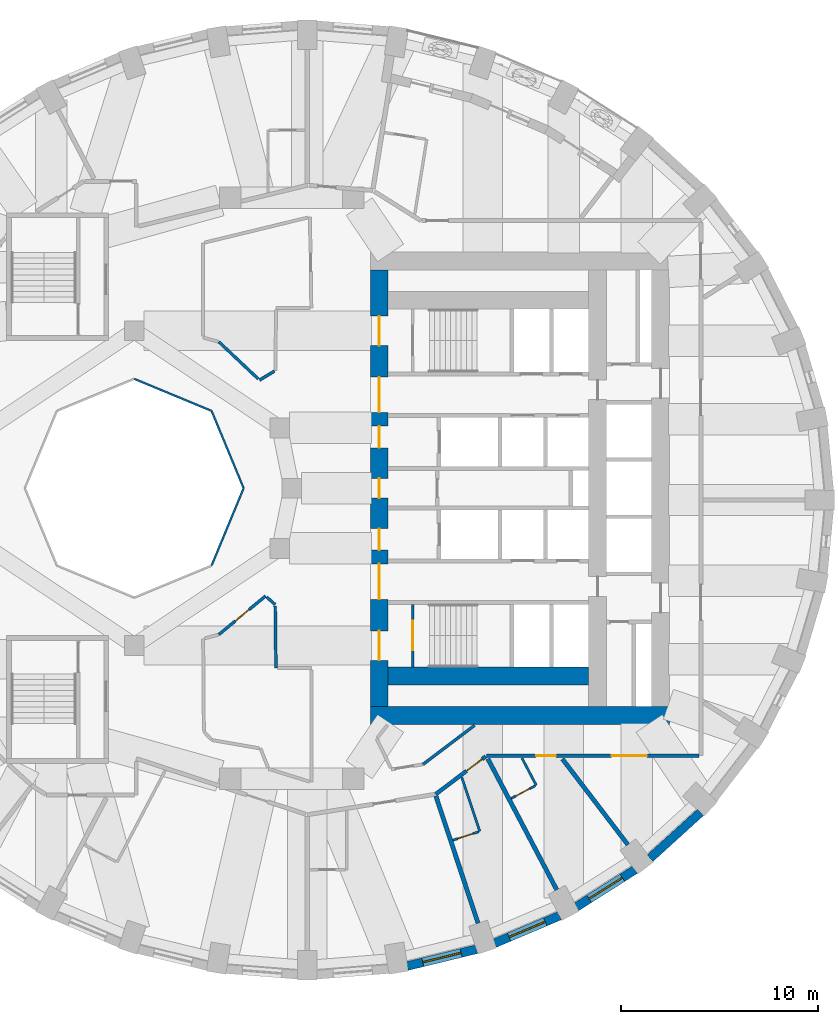
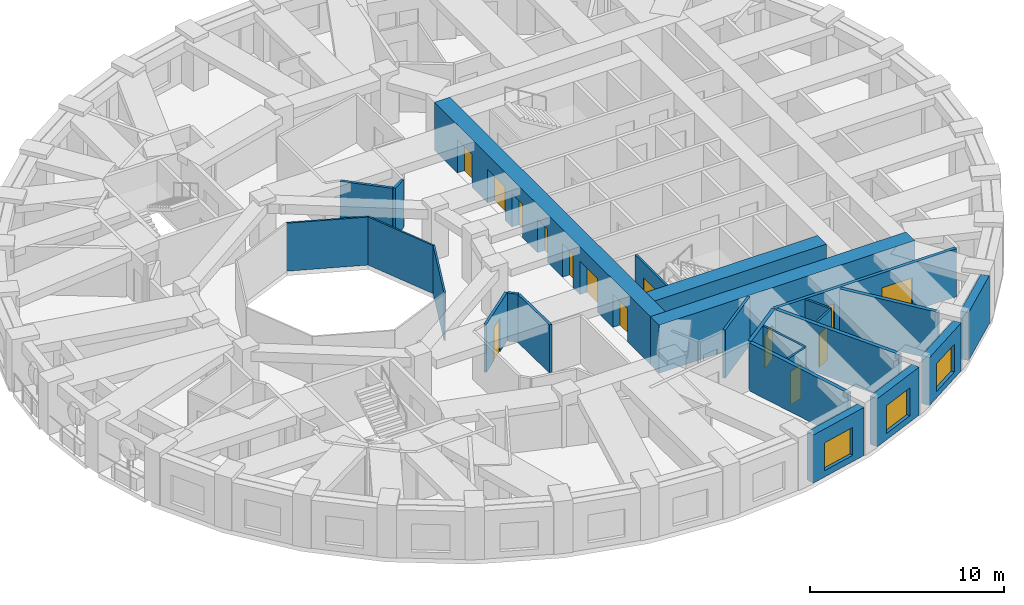
# One storey, part 5 of 12: 26 walls, 14 doors, 3 windows, 17 openings.
"""IFC4 building model written with IfcOpenShell, lengths in metres."""

from ifc_helpers import new_model, si_unit, direction, frame, frame_2d, origin, place, context, subcontext, project, spatial, rectangle, extrude, material, layer, layer_set, type_object, element, fill, save


model = new_model("IFC4")

# Units and contexts
model_context = context("Model", 3, precision=1e-05, world=origin(), true_north=direction((0.0, 1.0)))
body_context = subcontext(model_context, "Body", "Model", "MODEL_VIEW")
ifc_project = project(units=[si_unit("LENGTHUNIT", "METRE"), si_unit("AREAUNIT", "SQUARE_METRE"), si_unit("VOLUMEUNIT", "CUBIC_METRE"), si_unit("PLANEANGLEUNIT", "RADIAN"), si_unit("MASSUNIT", "GRAM", prefix="KILO")], contexts=[model_context])

# Site, building, storey
site_placement = place(None, origin())
site = spatial("IfcSite", under=ifc_project, at=site_placement, CompositionType="ELEMENT")
building_placement = place(site_placement, origin())
building = spatial("IfcBuilding", under=site, at=building_placement, Name="Taillehof Tower", CompositionType="ELEMENT")
storey_placement = place(building_placement, frame((0.0, 0.0, 105.39990234375)))
storey = spatial("IfcBuildingStorey", under=building, at=storey_placement, Name="L29", CompositionType="ELEMENT", Elevation=105.39990234375)

# Walls
ifc_material_1 = material(Name="Fire-resisting glass in steel frame", Category="steel")
ifc_layer_1 = layer(ifc_material_1, 0.10009765625)
ifc_layer_set_1 = layer_set([ifc_layer_1], Name="Atrium fire-resisting screen EI 60 100")
wall_type_1 = type_object("IfcWallType", Name="Atrium fire-resisting screen EI 60 100", PredefinedType="PARTITIONING", material=ifc_layer_set_1)
for number, where, z_axis, x_axis, name in (
    (1, (-2.44580078125, 0.0, 0.0), (0.0, 0.0, 1.0), (-0.382730523909, -0.923860025149, 0.0), "Atrium screen"),
    (2, (-8.0, 5.55419921875, 0.0), (0.0, 0.0, 1.0), (0.923860025149, -0.382730523909, 0.0), "Atrium screen"),
    (3, (-4.07275390625, 3.92724609375, 0.0), (0.0, 0.0, 1.0), (0.382730523909, -0.923860025149, 0.0), "Atrium screen"),
):
    element("IfcWall", number, at=place(storey_placement, frame(where, z_axis=z_axis, x_axis=x_axis)), inside=storey, type_object=wall_type_1, Name=name, PredefinedType="PARTITIONING", context=body_context, shape_type="SweptSolid", body=[
        extrude(rectangle(XDim=4.2509765625, YDim=0.10009765625, at=frame_2d((2.12548828125, 0.0))), origin(), (0.0, 0.0, 1.0), 3.02001953125),
    ])

# Wall, opening, window
ifc_material_2 = material(Name="Brick masonry", Category="masonry")
ifc_layer_2 = layer(ifc_material_2, 0.449951171875)
ifc_layer_set_2 = layer_set([ifc_layer_2], Name="Brick infill wall 450")
wall_type_2 = type_object("IfcWallType", Name="Brick infill wall 450", PredefinedType="SOLIDWALL", material=ifc_layer_set_2)
wall_1_placement = place(storey_placement, frame((5.87451171875, -24.29443359375, 0.0), z_axis=(0.0, 0.0, 1.0), x_axis=(0.971667603162, 0.236351579148, 0.0)))
wall_1 = element("IfcWall", 4, at=wall_1_placement, inside=storey, type_object=wall_type_2, Name="Brick wall L29 bay 29", PredefinedType="SOLIDWALL", context=body_context, shape_type="SweptSolid", body=[
    extrude(rectangle(XDim=3.635009765625, YDim=0.449951171875, at=frame_2d((1.8173828125, 0.0))), origin(), (0.0, 0.0, 1.0), 3.02001953125),
])
opening_1_placement = place(wall_1_placement, frame((0.8173828125, 0.0, 0.39990234375)))
opening_1 = element("IfcOpeningElement", 5, at=opening_1_placement, cuts=wall_1, Name="Opening W2", PredefinedType="OPENING", context=body_context, shape_type="SweptSolid", body=[
    extrude(rectangle(XDim=2.0, YDim=1.75, at=frame_2d((1.0, 0.875))), frame((0.0, 0.23486328125, 0.0), z_axis=(0.0, -1.0, 0.0), x_axis=(1.0, 0.0, 0.0)), (0.0, 0.0, 1.0), 0.469970703125),
])
ifc_material_3 = material(Name="Aluminium window frame with clear double glazing", Category="aluminium")
window_type = type_object("IfcWindowType", Name="Deep-set window 2000x1750", PartitioningType="SINGLE_PANEL", PredefinedType="WINDOW", material=ifc_material_3)
window_1_placement = place(opening_1_placement, origin())
window_1 = element("IfcWindow", 6, at=window_1_placement, inside=storey, type_object=window_type, Name="W2", OverallHeight=1.75, OverallWidth=2.0, PartitioningType="SINGLE_PANEL", PredefinedType="WINDOW", context=body_context, shape_type="SweptSolid", body=[
    extrude(rectangle(XDim=2.0, YDim=1.75, at=frame_2d((1.0, 0.875))), frame((0.0, 0.034912109375, 0.0), z_axis=(0.0, -1.0, 0.0), x_axis=(1.0, 0.0, 0.0)), (0.0, 0.0, 1.0), 0.06005859375),
])
fill(opening_1, window_1)

wall_2_placement = place(storey_placement, frame((10.318115234375, -23.133544921875, 0.0), z_axis=(0.0, 0.0, 1.0), x_axis=(0.920869643542, 0.389870619055, 0.0)))
wall_2 = element("IfcWall", 7, at=wall_2_placement, inside=storey, type_object=wall_type_2, Name="Brick wall L29 bay 30", PredefinedType="SOLIDWALL", context=body_context, shape_type="SweptSolid", body=[
    extrude(rectangle(XDim=3.59130859375, YDim=0.449951171875, at=frame_2d((1.795654296875, 0.0))), origin(), (0.0, 0.0, 1.0), 3.02001953125),
])
opening_2_placement = place(wall_2_placement, frame((0.795654296875, 0.0, 0.39990234375)))
opening_2 = element("IfcOpeningElement", 8, at=opening_2_placement, cuts=wall_2, Name="Opening W2", PredefinedType="OPENING", context=body_context, shape_type="SweptSolid", body=[
    extrude(rectangle(XDim=2.0, YDim=1.75, at=frame_2d((1.0, 0.875))), frame((0.0, 0.23486328125, 0.0), z_axis=(0.0, -1.0, 0.0), x_axis=(1.0, 0.0, 0.0)), (0.0, 0.0, 1.0), 0.469970703125),
])
window_2_placement = place(opening_2_placement, origin())
window_2 = element("IfcWindow", 9, at=window_2_placement, inside=storey, type_object=window_type, Name="W2", OverallHeight=1.75, OverallWidth=2.0, PartitioningType="SINGLE_PANEL", PredefinedType="WINDOW", context=body_context, shape_type="SweptSolid", body=[
    extrude(rectangle(XDim=2.0, YDim=1.75, at=frame_2d((1.0, 0.875))), frame((0.0, 0.034912109375, 0.0), z_axis=(0.0, -1.0, 0.0), x_axis=(1.0, 0.0, 0.0)), (0.0, 0.0, 1.0), 0.06005859375),
])
fill(opening_2, window_2)

wall_3_placement = place(storey_placement, frame((14.475341796875, -21.287109375, 0.0), z_axis=(0.0, 0.0, 1.0), x_axis=(0.843911841423, 0.536481876587, 0.0)))
wall_3 = element("IfcWall", 10, at=wall_3_placement, inside=storey, type_object=wall_type_2, Name="Brick wall L29 bay 31", PredefinedType="SOLIDWALL", context=body_context, shape_type="SweptSolid", body=[
    extrude(rectangle(XDim=3.5322265625, YDim=0.449951171875, at=frame_2d((1.76611328125, 0.0))), origin(), (0.0, 0.0, 1.0), 3.02001953125),
])
opening_3_placement = place(wall_3_placement, frame((0.76611328125, 0.0, 0.39990234375)))
opening_3 = element("IfcOpeningElement", 11, at=opening_3_placement, cuts=wall_3, Name="Opening W2", PredefinedType="OPENING", context=body_context, shape_type="SweptSolid", body=[
    extrude(rectangle(XDim=2.0, YDim=1.75, at=frame_2d((1.0, 0.875))), frame((0.0, 0.23486328125, 0.0), z_axis=(0.0, -1.0, 0.0), x_axis=(1.0, 0.0, 0.0)), (0.0, 0.0, 1.0), 0.469970703125),
])
window_3_placement = place(opening_3_placement, origin())
window_3 = element("IfcWindow", 12, at=window_3_placement, inside=storey, type_object=window_type, Name="W2", OverallHeight=1.75, OverallWidth=2.0, PartitioningType="SINGLE_PANEL", PredefinedType="WINDOW", context=body_context, shape_type="SweptSolid", body=[
    extrude(rectangle(XDim=2.0, YDim=1.75, at=frame_2d((1.0, 0.875))), frame((0.0, 0.034912109375, 0.0), z_axis=(0.0, -1.0, 0.0), x_axis=(1.0, 0.0, 0.0)), (0.0, 0.0, 1.0), 0.06005859375),
])
fill(opening_3, window_3)

# Wall
wall_4_placement = place(storey_placement, frame((18.219482421875, -18.8095703125, 0.0), z_axis=(0.0, 0.0, 1.0), x_axis=(0.740364106106, 0.672206062446, 0.0)))
element("IfcWall", 13, at=wall_4_placement, inside=storey, type_object=wall_type_2, Name="Brick wall L29 bay 32", PredefinedType="SOLIDWALL", context=body_context, shape_type="SweptSolid", body=[
    extrude(rectangle(XDim=3.4638671875, YDim=0.449951171875, at=frame_2d((1.73193359375, 0.0))), origin(), (0.0, 0.0, 1.0), 3.02001953125),
])

# Wall, openings, doors
ifc_material_4 = material(Name="Gypsum board on steel studs, two layers each side", Category="steel")
ifc_layer_3 = layer(ifc_material_4, 0.199951171875)
ifc_layer_set_3 = layer_set([ifc_layer_3], Name="Compartment wall corridor 200")
wall_type_3 = type_object("IfcWallType", Name="Compartment wall corridor 200", PredefinedType="PARTITIONING", material=ifc_layer_set_3)
wall_5_placement = place(storey_placement, frame((20.699951171875, -13.60009765625, 0.0), z_axis=(0.0, 0.0, 1.0), x_axis=(-1.0, 0.0, 0.0)))
wall_5 = element("IfcWall", 14, at=wall_5_placement, inside=storey, type_object=wall_type_3, Name="Compartment wall", PredefinedType="PARTITIONING", context=body_context, shape_type="SweptSolid", body=[
    extrude(rectangle(XDim=10.791015625, YDim=0.199951171875, at=frame_2d((5.3955078125, 0.0))), origin(), (0.0, 0.0, 1.0), 3.02001953125),
])
opening_4_placement = place(wall_5_placement, frame((7.27197265625, 0.0, 0.0)))
opening_4 = element("IfcOpeningElement", 15, at=opening_4_placement, cuts=wall_5, Name="Opening D2959", PredefinedType="OPENING", context=body_context, shape_type="SweptSolid", body=[
    extrude(rectangle(XDim=1.0, YDim=2.10009765625, at=frame_2d((0.5, 1.050048828125))), frame((0.0, 0.10986328125, 0.0), z_axis=(0.0, -1.0, 0.0), x_axis=(1.0, 0.0, 0.0)), (0.0, 0.0, 1.0), 0.219970703125),
])
opening_5_placement = place(wall_5_placement, frame((2.638427734375, 0.0, 0.0)))
opening_5 = element("IfcOpeningElement", 16, at=opening_5_placement, cuts=wall_5, Name="Opening D2961", PredefinedType="OPENING", context=body_context, shape_type="SweptSolid", body=[
    extrude(rectangle(XDim=1.800048828125, YDim=2.10009765625, at=frame_2d((0.89990234375, 1.050048828125))), frame((0.0, 0.10986328125, 0.0), z_axis=(0.0, -1.0, 0.0), x_axis=(1.0, 0.0, 0.0)), (0.0, 0.0, 1.0), 0.219970703125),
])
ifc_material_5 = material(Name="Timber door leaf in steel frame", Category="steel")
door_type_1 = type_object("IfcDoorType", Name="Guest room door EI 30 1000 x 2100", OperationType="SINGLE_SWING_LEFT", PredefinedType="DOOR", material=ifc_material_5)
door_1_placement = place(opening_4_placement, origin())
door_1 = element("IfcDoor", 17, at=door_1_placement, inside=storey, type_object=door_type_1, Name="D2959", OperationType="SINGLE_SWING_LEFT", OverallHeight=2.10009765625, OverallWidth=1.0, PredefinedType="DOOR", context=body_context, shape_type="SweptSolid", body=[
    extrude(rectangle(XDim=1.0, YDim=2.10009765625, at=frame_2d((0.5, 1.050048828125))), frame((0.0, 0.02490234375, 0.0), z_axis=(0.0, -1.0, 0.0), x_axis=(1.0, 0.0, 0.0)), (0.0, 0.0, 1.0), 0.050048828125),
])
fill(opening_4, door_1)
ifc_material_6 = material(Name="Timber door leaf in steel frame", Category="steel")
door_type_2 = type_object("IfcDoorType", Name="Lounge and meeting room double door EI 30 1800 x 2100", OperationType="SINGLE_SWING_LEFT", PredefinedType="DOOR", material=ifc_material_6)
door_2_placement = place(opening_5_placement, origin())
door_2 = element("IfcDoor", 18, at=door_2_placement, inside=storey, type_object=door_type_2, Name="D2961", OperationType="DOUBLE_DOOR_SINGLE_SWING", OverallHeight=2.10009765625, OverallWidth=1.800048828125, PredefinedType="DOOR", context=body_context, shape_type="SweptSolid", body=[
    extrude(rectangle(XDim=1.800048828125, YDim=2.10009765625, at=frame_2d((0.89990234375, 1.050048828125))), frame((0.0, 0.02490234375, 0.0), z_axis=(0.0, -1.0, 0.0), x_axis=(1.0, 0.0, 0.0)), (0.0, 0.0, 1.0), 0.050048828125),
])
fill(opening_5, door_2)

# Wall, opening, door
wall_6_placement = place(storey_placement, frame((9.861328125, -13.635986328125, 0.0), z_axis=(0.0, 0.0, 1.0), x_axis=(-0.797589990076, -0.603199973251, 0.0)))
wall_6 = element("IfcWall", 19, at=wall_6_placement, inside=storey, type_object=wall_type_3, Name="Compartment wall", PredefinedType="PARTITIONING", context=body_context, shape_type="SweptSolid", body=[
    extrude(rectangle(XDim=3.181396484375, YDim=0.199951171875, at=frame_2d((1.5908203125, 0.0))), origin(), (0.0, 0.0, 1.0), 3.02001953125),
])
opening_6_placement = place(wall_6_placement, frame((0.219970703125, 0.0, 0.0)))
opening_6 = element("IfcOpeningElement", 20, at=opening_6_placement, cuts=wall_6, Name="Opening D2957", PredefinedType="OPENING", context=body_context, shape_type="SweptSolid", body=[
    extrude(rectangle(XDim=1.0, YDim=2.10009765625, at=frame_2d((0.5, 1.050048828125))), frame((0.0, 0.10986328125, 0.0), z_axis=(0.0, -1.0, 0.0), x_axis=(1.0, 0.0, 0.0)), (0.0, 0.0, 1.0), 0.219970703125),
])
door_3_placement = place(opening_6_placement, origin())
door_3 = element("IfcDoor", 21, at=door_3_placement, inside=storey, type_object=door_type_1, Name="D2957", OperationType="SINGLE_SWING_LEFT", OverallHeight=2.10009765625, OverallWidth=1.0, PredefinedType="DOOR", context=body_context, shape_type="SweptSolid", body=[
    extrude(rectangle(XDim=1.0, YDim=2.10009765625, at=frame_2d((0.5, 1.050048828125))), frame((0.0, 0.02490234375, 0.0), z_axis=(0.0, -1.0, 0.0), x_axis=(1.0, 0.0, 0.0)), (0.0, 0.0, 1.0), 0.050048828125),
])
fill(opening_6, door_3)

# Walls
ifc_material_7 = material(Name="Gypsum board on double steel studs with mineral wool", Category="steel")
ifc_layer_4 = layer(ifc_material_7, 0.219970703125)
ifc_layer_set_4 = layer_set([ifc_layer_4], Name="Compartment wall guest room 220")
wall_type_4 = type_object("IfcWallType", Name="Compartment wall guest room 220", PredefinedType="PARTITIONING", material=ifc_layer_set_4)
wall_7_placement = place(storey_placement, frame((9.4736328125, -22.11181640625, 0.0), z_axis=(0.0, 0.0, 1.0), x_axis=(-0.314536861663, 0.949245259485, 0.0)))
element("IfcWall", 22, at=wall_7_placement, inside=storey, type_object=wall_type_4, Name="Compartment wall", PredefinedType="PARTITIONING", context=body_context, shape_type="SweptSolid", body=[
    extrude(rectangle(XDim=6.802490234375, YDim=0.219970703125, at=frame_2d((3.4013671875, 0.0))), origin(), (0.0, 0.0, 1.0), 3.02001953125),
])
wall_8_placement = place(storey_placement, frame((13.47607421875, -20.417724609375, 0.0), z_axis=(0.0, 0.0, 1.0), x_axis=(-0.465332071749, 0.885136183308, 0.0)))
element("IfcWall", 23, at=wall_8_placement, inside=storey, type_object=wall_type_4, Name="Compartment wall", PredefinedType="PARTITIONING", context=body_context, shape_type="SweptSolid", body=[
    extrude(rectangle(XDim=7.52880859375, YDim=0.219970703125, at=frame_2d((3.764404296875, 0.0))), origin(), (0.0, 0.0, 1.0), 3.02001953125),
])
wall_9_placement = place(storey_placement, frame((17.08935546875, -18.120849609375, 0.0), z_axis=(0.0, 0.0, 1.0), x_axis=(-0.607064955951, 0.794652212767, 0.0)))
element("IfcWall", 24, at=wall_9_placement, inside=storey, type_object=wall_type_4, Name="Compartment wall", PredefinedType="PARTITIONING", context=body_context, shape_type="SweptSolid", body=[
    extrude(rectangle(XDim=5.483154296875, YDim=0.219970703125, at=frame_2d((2.74169921875, 0.0))), origin(), (0.0, 0.0, 1.0), 3.02001953125),
])
ifc_material_8 = material(Name="Gypsum board on steel studs, two layers each side", Category="steel")
ifc_layer_5 = layer(ifc_material_8, 0.14990234375)
ifc_layer_set_5 = layer_set([ifc_layer_5], Name="Compartment wall service room 150")
wall_type_5 = type_object("IfcWallType", Name="Compartment wall service room 150", PredefinedType="PARTITIONING", material=ifc_layer_set_5)
wall_10_placement = place(storey_placement, frame((-0.87353515625, 5.95166015625, 0.0), z_axis=(0.0, 0.0, 1.0), x_axis=(-0.857759476535, -0.514051242984, 0.0)))
element("IfcWall", 25, at=wall_10_placement, inside=storey, type_object=wall_type_5, Name="Compartment wall", PredefinedType="PARTITIONING", context=body_context, shape_type="SweptSolid", body=[
    extrude(rectangle(XDim=0.888671875, YDim=0.14990234375, at=frame_2d((0.4443359375, 0.0))), origin(), (0.0, 0.0, 1.0), 3.02001953125),
])
wall_11_placement = place(storey_placement, frame((-1.6943359375, 5.549560546875, 0.0), z_axis=(0.0, 0.0, 1.0), x_axis=(-0.728018179622, 0.685557824067, 0.0)))
element("IfcWall", 26, at=wall_11_placement, inside=storey, type_object=wall_type_5, Name="Compartment wall", PredefinedType="PARTITIONING", context=body_context, shape_type="SweptSolid", body=[
    extrude(rectangle(XDim=2.760009765625, YDim=0.14990234375, at=frame_2d((1.3798828125, 0.0))), origin(), (0.0, 0.0, 1.0), 3.02001953125),
])

# Wall, opening, door
wall_12_placement = place(storey_placement, frame((-3.70361328125, -7.441650390625, 0.0), z_axis=(0.0, 0.0, 1.0), x_axis=(0.771379108851, 0.636375887686, 0.0)))
wall_12 = element("IfcWall", 27, at=wall_12_placement, inside=storey, type_object=wall_type_5, Name="Compartment wall", PredefinedType="PARTITIONING", context=body_context, shape_type="SweptSolid", body=[
    extrude(rectangle(XDim=3.083251953125, YDim=0.14990234375, at=frame_2d((1.54150390625, 0.0))), origin(), (0.0, 0.0, 1.0), 3.02001953125),
])
opening_7_placement = place(wall_12_placement, frame((1.091552734375, 0.0, 0.0)))
opening_7 = element("IfcOpeningElement", 28, at=opening_7_placement, cuts=wall_12, Name="Opening D2966", PredefinedType="OPENING", context=body_context, shape_type="SweptSolid", body=[
    extrude(rectangle(XDim=0.89990234375, YDim=2.10009765625, at=frame_2d((0.449951171875, 1.050048828125))), frame((0.0, 0.0849609375, 0.0), z_axis=(0.0, -1.0, 0.0), x_axis=(1.0, 0.0, 0.0)), (0.0, 0.0, 1.0), 0.169921875),
])
ifc_material_9 = material(Name="Timber door leaf in steel frame", Category="steel")
door_type_3 = type_object("IfcDoorType", Name="Service room door EI 30 900 x 2100", OperationType="SINGLE_SWING_LEFT", PredefinedType="DOOR", material=ifc_material_9)
door_4_placement = place(opening_7_placement, origin())
door_4 = element("IfcDoor", 29, at=door_4_placement, inside=storey, type_object=door_type_3, Name="D2966", OperationType="SINGLE_SWING_LEFT", OverallHeight=2.10009765625, OverallWidth=0.89990234375, PredefinedType="DOOR", context=body_context, shape_type="SweptSolid", body=[
    extrude(rectangle(XDim=0.89990234375, YDim=2.10009765625, at=frame_2d((0.449951171875, 1.050048828125))), frame((0.0, 0.02490234375, 0.0), z_axis=(0.0, -1.0, 0.0), x_axis=(1.0, 0.0, 0.0)), (0.0, 0.0, 1.0), 0.050048828125),
])
fill(opening_7, door_4)

# Walls
wall_13_placement = place(storey_placement, frame((-1.265625, -5.533203125, 0.0), z_axis=(0.0, 0.0, 1.0), x_axis=(0.740704364941, -0.671831112525, 0.0)))
element("IfcWall", 30, at=wall_13_placement, inside=storey, type_object=wall_type_5, Name="Compartment wall", PredefinedType="PARTITIONING", context=body_context, shape_type="SweptSolid", body=[
    extrude(rectangle(XDim=0.577880859375, YDim=0.14990234375, at=frame_2d((0.2890625, 0.0))), origin(), (0.0, 0.0, 1.0), 3.02001953125),
])
wall_14_placement = place(storey_placement, frame((-0.8369140625, -5.9814453125, 0.0), z_axis=(0.0, 0.0, 1.0), x_axis=(0.011634287273, -0.999932319389, 0.0)))
element("IfcWall", 31, at=wall_14_placement, inside=storey, type_object=wall_type_5, Name="Compartment wall", PredefinedType="PARTITIONING", context=body_context, shape_type="SweptSolid", body=[
    extrude(rectangle(XDim=3.168701171875, YDim=0.14990234375, at=frame_2d((1.58447265625, 0.0))), origin(), (0.0, 0.0, 1.0), 3.02001953125),
])
wall_15_placement = place(storey_placement, frame((9.299560546875, -12.054931640625, 0.0), z_axis=(0.0, 0.0, 1.0), x_axis=(-0.79762360872, -0.603155517933, 0.0)))
element("IfcWall", 32, at=wall_15_placement, inside=storey, type_object=wall_type_5, Name="Compartment wall", PredefinedType="PARTITIONING", context=body_context, shape_type="SweptSolid", body=[
    extrude(rectangle(XDim=3.2880859375, YDim=0.14990234375, at=frame_2d((1.64404296875, 0.0))), origin(), (0.0, 0.0, 1.0), 3.02001953125),
])

# Wall, openings, doors
ifc_material_10 = material(Name="Concrete C80/95", Category="concrete")
ifc_layer_6 = layer(ifc_material_10, 0.89990234375)
ifc_layer_set_6 = layer_set([ifc_layer_6], Name="Core wall C80/95 900")
wall_type_6 = type_object("IfcWallType", Name="Core wall C80/95 900", PredefinedType="SHEAR", material=ifc_layer_set_6)
wall_16_placement = place(storey_placement, frame((4.449951171875, -11.10009765625, 0.0), z_axis=(0.0, 0.0, 1.0), x_axis=(0.0, 1.0, 0.0)))
wall_16 = element("IfcWall", 33, at=wall_16_placement, inside=storey, type_object=wall_type_6, Name="Core wall CW01", PredefinedType="SHEAR", context=body_context, shape_type="SweptSolid", body=[
    extrude(rectangle(XDim=22.2001953125, YDim=0.89990234375, at=frame_2d((11.10009765625, 0.0))), origin(), (0.0, 0.0, 1.0), 3.02001953125),
])
opening_8_placement = place(wall_16_placement, frame((2.35009765625, 0.0, 0.0)))
opening_8 = element("IfcOpeningElement", 34, at=opening_8_placement, cuts=wall_16, Name="Opening D2901", PredefinedType="OPENING", context=body_context, shape_type="SweptSolid", body=[
    extrude(rectangle(XDim=1.5, YDim=2.10009765625, at=frame_2d((0.75, 1.050048828125))), frame((0.0, 0.4599609375, 0.0), z_axis=(0.0, -1.0, 0.0), x_axis=(1.0, 0.0, 0.0)), (0.0, 0.0, 1.0), 0.919921875),
])
opening_9_placement = place(wall_16_placement, frame((5.449951171875, 0.0, 0.0)))
opening_9 = element("IfcOpeningElement", 35, at=opening_9_placement, cuts=wall_16, Name="Opening D2902", PredefinedType="OPENING", context=body_context, shape_type="SweptSolid", body=[
    extrude(rectangle(XDim=1.800048828125, YDim=2.10009765625, at=frame_2d((0.89990234375, 1.050048828125))), frame((0.0, 0.4599609375, 0.0), z_axis=(0.0, -1.0, 0.0), x_axis=(1.0, 0.0, 0.0)), (0.0, 0.0, 1.0), 0.919921875),
])
opening_10_placement = place(wall_16_placement, frame((7.949951171875, 0.0, 0.0)))
opening_10 = element("IfcOpeningElement", 36, at=opening_10_placement, cuts=wall_16, Name="Opening D2903", PredefinedType="OPENING", context=body_context, shape_type="SweptSolid", body=[
    extrude(rectangle(XDim=1.10009765625, YDim=2.10009765625, at=frame_2d((0.550048828125, 1.050048828125))), frame((0.0, 0.4599609375, 0.0), z_axis=(0.0, -1.0, 0.0), x_axis=(1.0, 0.0, 0.0)), (0.0, 0.0, 1.0), 0.919921875),
])
opening_11_placement = place(wall_16_placement, frame((10.60009765625, 0.0, 0.0)))
opening_11 = element("IfcOpeningElement", 37, at=opening_11_placement, cuts=wall_16, Name="Opening D2904", PredefinedType="OPENING", context=body_context, shape_type="SweptSolid", body=[
    extrude(rectangle(XDim=1.0, YDim=2.10009765625, at=frame_2d((0.5, 1.050048828125))), frame((0.0, 0.4599609375, 0.0), z_axis=(0.0, -1.0, 0.0), x_axis=(1.0, 0.0, 0.0)), (0.0, 0.0, 1.0), 0.919921875),
])
opening_12_placement = place(wall_16_placement, frame((13.14990234375, 0.0, 0.0)))
opening_12 = element("IfcOpeningElement", 38, at=opening_12_placement, cuts=wall_16, Name="Opening D2905", PredefinedType="OPENING", context=body_context, shape_type="SweptSolid", body=[
    extrude(rectangle(XDim=1.10009765625, YDim=2.10009765625, at=frame_2d((0.550048828125, 1.050048828125))), frame((0.0, 0.4599609375, 0.0), z_axis=(0.0, -1.0, 0.0), x_axis=(1.0, 0.0, 0.0)), (0.0, 0.0, 1.0), 0.919921875),
])
opening_13_placement = place(wall_16_placement, frame((14.949951171875, 0.0, 0.0)))
opening_13 = element("IfcOpeningElement", 39, at=opening_13_placement, cuts=wall_16, Name="Opening D2906", PredefinedType="OPENING", context=body_context, shape_type="SweptSolid", body=[
    extrude(rectangle(XDim=1.800048828125, YDim=2.10009765625, at=frame_2d((0.89990234375, 1.050048828125))), frame((0.0, 0.4599609375, 0.0), z_axis=(0.0, -1.0, 0.0), x_axis=(1.0, 0.0, 0.0)), (0.0, 0.0, 1.0), 0.919921875),
])
opening_14_placement = place(wall_16_placement, frame((18.35009765625, 0.0, 0.0)))
opening_14 = element("IfcOpeningElement", 40, at=opening_14_placement, cuts=wall_16, Name="Opening D2907", PredefinedType="OPENING", context=body_context, shape_type="SweptSolid", body=[
    extrude(rectangle(XDim=1.5, YDim=2.10009765625, at=frame_2d((0.75, 1.050048828125))), frame((0.0, 0.4599609375, 0.0), z_axis=(0.0, -1.0, 0.0), x_axis=(1.0, 0.0, 0.0)), (0.0, 0.0, 1.0), 0.919921875),
])
ifc_material_11 = material(Name="Steel-faced fire door", Category="steel")
door_type_4 = type_object("IfcDoorType", Name="Firefighting lobby door 1100x2100", OperationType="SINGLE_SWING_RIGHT", PredefinedType="DOOR", material=ifc_material_11)
door_5_placement = place(opening_10_placement, origin())
door_5 = element("IfcDoor", 41, at=door_5_placement, inside=storey, type_object=door_type_4, Name="Firefighting lobby door FFL-S", OperationType="SINGLE_SWING_RIGHT", OverallHeight=2.10009765625, OverallWidth=1.10009765625, PredefinedType="DOOR", context=body_context, shape_type="SweptSolid", body=[
    extrude(rectangle(XDim=1.10009765625, YDim=2.10009765625, at=frame_2d((0.550048828125, 1.050048828125))), frame((0.0, 0.02490234375, 0.0), z_axis=(0.0, -1.0, 0.0), x_axis=(1.0, 0.0, 0.0)), (0.0, 0.0, 1.0), 0.050048828125),
])
fill(opening_10, door_5)
door_6_placement = place(opening_12_placement, origin())
door_6 = element("IfcDoor", 42, at=door_6_placement, inside=storey, type_object=door_type_4, Name="Firefighting lobby door FFL-N", OperationType="SINGLE_SWING_LEFT", OverallHeight=2.10009765625, OverallWidth=1.10009765625, PredefinedType="DOOR", context=body_context, shape_type="SweptSolid", body=[
    extrude(rectangle(XDim=1.10009765625, YDim=2.10009765625, at=frame_2d((0.550048828125, 1.050048828125))), frame((0.0, 0.02490234375, 0.0), z_axis=(0.0, -1.0, 0.0), x_axis=(1.0, 0.0, 0.0)), (0.0, 0.0, 1.0), 0.050048828125),
])
fill(opening_12, door_6)
ifc_material_12 = material(Name="Steel-faced fire door", Category="steel")
door_type_5 = type_object("IfcDoorType", Name="Lift lobby door 1800x2100", OperationType="DOUBLE_DOOR_SINGLE_SWING", PredefinedType="DOOR", material=ifc_material_12)
door_7_placement = place(opening_9_placement, origin())
door_7 = element("IfcDoor", 43, at=door_7_placement, inside=storey, type_object=door_type_5, Name="Lift lobby door LL-S", OperationType="DOUBLE_DOOR_SINGLE_SWING", OverallHeight=2.10009765625, OverallWidth=1.800048828125, PredefinedType="DOOR", context=body_context, shape_type="SweptSolid", body=[
    extrude(rectangle(XDim=1.800048828125, YDim=2.10009765625, at=frame_2d((0.89990234375, 1.050048828125))), frame((0.0, 0.02490234375, 0.0), z_axis=(0.0, -1.0, 0.0), x_axis=(1.0, 0.0, 0.0)), (0.0, 0.0, 1.0), 0.050048828125),
])
fill(opening_9, door_7)
door_8_placement = place(opening_13_placement, origin())
door_8 = element("IfcDoor", 44, at=door_8_placement, inside=storey, type_object=door_type_5, Name="Lift lobby door LL-N", OperationType="DOUBLE_DOOR_SINGLE_SWING", OverallHeight=2.10009765625, OverallWidth=1.800048828125, PredefinedType="DOOR", context=body_context, shape_type="SweptSolid", body=[
    extrude(rectangle(XDim=1.800048828125, YDim=2.10009765625, at=frame_2d((0.89990234375, 1.050048828125))), frame((0.0, 0.02490234375, 0.0), z_axis=(0.0, -1.0, 0.0), x_axis=(1.0, 0.0, 0.0)), (0.0, 0.0, 1.0), 0.050048828125),
])
fill(opening_13, door_8)
ifc_material_13 = material(Name="Steel-faced fire door", Category="steel")
door_type_6 = type_object("IfcDoorType", Name="Service door 1000x2100", OperationType="SINGLE_SWING_RIGHT", PredefinedType="DOOR", material=ifc_material_13)
door_9_placement = place(opening_11_placement, origin())
door_9 = element("IfcDoor", 45, at=door_9_placement, inside=storey, type_object=door_type_6, Name="Service door SV", OperationType="SINGLE_SWING_RIGHT", OverallHeight=2.10009765625, OverallWidth=1.0, PredefinedType="DOOR", context=body_context, shape_type="SweptSolid", body=[
    extrude(rectangle(XDim=1.0, YDim=2.10009765625, at=frame_2d((0.5, 1.050048828125))), frame((0.0, 0.02490234375, 0.0), z_axis=(0.0, -1.0, 0.0), x_axis=(1.0, 0.0, 0.0)), (0.0, 0.0, 1.0), 0.050048828125),
])
fill(opening_11, door_9)
ifc_material_14 = material(Name="Steel-faced fire door", Category="steel")
door_type_7 = type_object("IfcDoorType", Name="Stair door 1500x2100", OperationType="DOUBLE_DOOR_SINGLE_SWING", PredefinedType="DOOR", material=ifc_material_14)
door_10_placement = place(opening_8_placement, origin())
door_10 = element("IfcDoor", 46, at=door_10_placement, inside=storey, type_object=door_type_7, Name="Stair door S2", OperationType="DOUBLE_DOOR_SINGLE_SWING", OverallHeight=2.10009765625, OverallWidth=1.5, PredefinedType="DOOR", context=body_context, shape_type="SweptSolid", body=[
    extrude(rectangle(XDim=1.5, YDim=2.10009765625, at=frame_2d((0.75, 1.050048828125))), frame((0.0, 0.02490234375, 0.0), z_axis=(0.0, -1.0, 0.0), x_axis=(1.0, 0.0, 0.0)), (0.0, 0.0, 1.0), 0.050048828125),
])
fill(opening_8, door_10)
door_11_placement = place(opening_14_placement, origin())
door_11 = element("IfcDoor", 47, at=door_11_placement, inside=storey, type_object=door_type_7, Name="Stair door S1", OperationType="DOUBLE_DOOR_SINGLE_SWING", OverallHeight=2.10009765625, OverallWidth=1.5, PredefinedType="DOOR", context=body_context, shape_type="SweptSolid", body=[
    extrude(rectangle(XDim=1.5, YDim=2.10009765625, at=frame_2d((0.75, 1.050048828125))), frame((0.0, 0.02490234375, 0.0), z_axis=(0.0, -1.0, 0.0), x_axis=(1.0, 0.0, 0.0)), (0.0, 0.0, 1.0), 0.050048828125),
])
fill(opening_14, door_11)

# Walls
wall_17_placement = place(storey_placement, frame((4.0, -11.550048828125, 0.0), z_axis=(0.0, 0.0, 1.0), x_axis=(1.0, 0.0, 0.0)))
element("IfcWall", 48, at=wall_17_placement, inside=storey, type_object=wall_type_6, Name="Core wall CW04", PredefinedType="SHEAR", context=body_context, shape_type="SweptSolid", body=[
    extrude(rectangle(XDim=15.199951171875, YDim=0.89990234375, at=frame_2d((7.60009765625, 0.0))), origin(), (0.0, 0.0, 1.0), 3.02001953125),
])
wall_18_placement = place(storey_placement, frame((4.89990234375, -9.550048828125, 0.0), z_axis=(0.0, 0.0, 1.0), x_axis=(1.0, 0.0, 0.0)))
element("IfcWall", 49, at=wall_18_placement, inside=storey, type_object=wall_type_6, Name="Core wall CW07", PredefinedType="SHEAR", context=body_context, shape_type="SweptSolid", body=[
    extrude(rectangle(XDim=10.2001953125, YDim=0.89990234375, at=frame_2d((5.10009765625, 0.0))), origin(), (0.0, 0.0, 1.0), 3.02001953125),
])
ifc_material_15 = material(Name="Gypsum board on steel studs, moisture resistant", Category="steel")
ifc_layer_7 = layer(ifc_material_15, 0.1201171875)
ifc_layer_set_7 = layer_set([ifc_layer_7], Name="En-suite wall 120")
wall_type_7 = type_object("IfcWallType", Name="En-suite wall 120", PredefinedType="PARTITIONING", material=ifc_layer_set_7)
wall_19_placement = place(storey_placement, frame((8.650634765625, -14.700927734375, 0.0), z_axis=(0.0, 0.0, 1.0), x_axis=(0.314630509088, -0.949214223846, 0.0)))
element("IfcWall", 50, at=wall_19_placement, inside=storey, type_object=wall_type_7, Name="En-suite wall", PredefinedType="PARTITIONING", context=body_context, shape_type="SweptSolid", body=[
    extrude(rectangle(XDim=2.8896484375, YDim=0.1201171875, at=frame_2d((1.44482421875, 0.0))), origin(), (0.0, 0.0, 1.0), 3.02001953125),
])
wall_20_placement = place(storey_placement, frame((11.705322265625, -13.718017578125, 0.0), z_axis=(0.0, 0.0, 1.0), x_axis=(0.465437210927, -0.885080901773, 0.0)))
element("IfcWall", 51, at=wall_20_placement, inside=storey, type_object=wall_type_7, Name="En-suite wall", PredefinedType="PARTITIONING", context=body_context, shape_type="SweptSolid", body=[
    extrude(rectangle(XDim=1.56201171875, YDim=0.1201171875, at=frame_2d((0.781005859375, 0.0))), origin(), (0.0, 0.0, 1.0), 3.02001953125),
])

# Wall, opening, door
wall_21_placement = place(storey_placement, frame((9.5029296875, -17.462646484375, 0.0), z_axis=(0.0, 0.0, 1.0), x_axis=(-0.949247859497, -0.314529014943, 0.0)))
wall_21 = element("IfcWall", 52, at=wall_21_placement, inside=storey, type_object=wall_type_7, Name="En-suite wall", PredefinedType="PARTITIONING", context=body_context, shape_type="SweptSolid", body=[
    extrude(rectangle(XDim=1.380126953125, YDim=0.1201171875, at=frame_2d((0.68994140625, 0.0))), origin(), (0.0, 0.0, 1.0), 3.02001953125),
])
opening_15_placement = place(wall_21_placement, frame((0.315185546875, 0.0, 0.0)))
opening_15 = element("IfcOpeningElement", 53, at=opening_15_placement, cuts=wall_21, Name="Opening D2958", PredefinedType="OPENING", context=body_context, shape_type="SweptSolid", body=[
    extrude(rectangle(XDim=0.800048828125, YDim=2.10009765625, at=frame_2d((0.39990234375, 1.050048828125))), frame((0.0, 0.070068359375, 0.0), z_axis=(0.0, -1.0, 0.0), x_axis=(1.0, 0.0, 0.0)), (0.0, 0.0, 1.0), 0.14013671875),
])
ifc_material_16 = material(Name="Timber door leaf in steel frame", Category="steel")
door_type_8 = type_object("IfcDoorType", Name="En-suite door 800 x 2100", OperationType="SINGLE_SWING_LEFT", PredefinedType="DOOR", material=ifc_material_16)
door_12_placement = place(opening_15_placement, origin())
door_12 = element("IfcDoor", 54, at=door_12_placement, inside=storey, type_object=door_type_8, Name="D2958", OperationType="SINGLE_SWING_RIGHT", OverallHeight=2.10009765625, OverallWidth=0.800048828125, PredefinedType="DOOR", context=body_context, shape_type="SweptSolid", body=[
    extrude(rectangle(XDim=0.800048828125, YDim=2.10009765625, at=frame_2d((0.39990234375, 1.050048828125))), frame((0.0, 0.02490234375, 0.0), z_axis=(0.0, -1.0, 0.0), x_axis=(1.0, 0.0, 0.0)), (0.0, 0.0, 1.0), 0.050048828125),
])
fill(opening_15, door_12)

wall_22_placement = place(storey_placement, frame((12.379150390625, -15.12841796875, 0.0), z_axis=(0.0, 0.0, 1.0), x_axis=(-0.885113826366, -0.465374595757, 0.0)))
wall_22 = element("IfcWall", 55, at=wall_22_placement, inside=storey, type_object=wall_type_7, Name="En-suite wall", PredefinedType="PARTITIONING", context=body_context, shape_type="SweptSolid", body=[
    extrude(rectangle(XDim=1.38037109375, YDim=0.1201171875, at=frame_2d((0.690185546875, 0.0))), origin(), (0.0, 0.0, 1.0), 3.02001953125),
])
opening_16_placement = place(wall_22_placement, frame((0.31494140625, 0.0, 0.0)))
opening_16 = element("IfcOpeningElement", 56, at=opening_16_placement, cuts=wall_22, Name="Opening D2960", PredefinedType="OPENING", context=body_context, shape_type="SweptSolid", body=[
    extrude(rectangle(XDim=0.800048828125, YDim=2.10009765625, at=frame_2d((0.39990234375, 1.050048828125))), frame((0.0, 0.070068359375, 0.0), z_axis=(0.0, -1.0, 0.0), x_axis=(1.0, 0.0, 0.0)), (0.0, 0.0, 1.0), 0.14013671875),
])
door_13_placement = place(opening_16_placement, origin())
door_13 = element("IfcDoor", 57, at=door_13_placement, inside=storey, type_object=door_type_8, Name="D2960", OperationType="SINGLE_SWING_LEFT", OverallHeight=2.10009765625, OverallWidth=0.800048828125, PredefinedType="DOOR", context=body_context, shape_type="SweptSolid", body=[
    extrude(rectangle(XDim=0.800048828125, YDim=2.10009765625, at=frame_2d((0.39990234375, 1.050048828125))), frame((0.0, 0.02490234375, 0.0), z_axis=(0.0, -1.0, 0.0), x_axis=(1.0, 0.0, 0.0)), (0.0, 0.0, 1.0), 0.050048828125),
])
fill(opening_16, door_13)

ifc_material_17 = material(Name="Concrete C50/60", Category="concrete")
ifc_layer_8 = layer(ifc_material_17, 0.1201171875)
ifc_layer_set_8 = layer_set([ifc_layer_8], Name="Stair lobby wall C50/60 120")
wall_type_8 = type_object("IfcWallType", Name="Stair lobby wall C50/60 120", PredefinedType="SHEAR", material=ifc_layer_set_8)
wall_23_placement = place(storey_placement, frame((6.159912109375, -9.10009765625, 0.0), z_axis=(0.0, 0.0, 1.0), x_axis=(0.0, 1.0, 0.0)))
wall_23 = element("IfcWall", 58, at=wall_23_placement, inside=storey, type_object=wall_type_8, Name="Compartment wall SW", PredefinedType="SHEAR", context=body_context, shape_type="SweptSolid", body=[
    extrude(rectangle(XDim=3.2001953125, YDim=0.1201171875, at=frame_2d((1.60009765625, 0.0))), origin(), (0.0, 0.0, 1.0), 3.02001953125),
])
opening_17_placement = place(wall_23_placement, frame((0.85009765625, 0.0, 0.0)))
opening_17 = element("IfcOpeningElement", 59, at=opening_17_placement, cuts=wall_23, Name="Opening D2911", PredefinedType="OPENING", context=body_context, shape_type="SweptSolid", body=[
    extrude(rectangle(XDim=1.5, YDim=2.10009765625, at=frame_2d((0.75, 1.050048828125))), frame((0.0, 0.070068359375, 0.0), z_axis=(0.0, -1.0, 0.0), x_axis=(1.0, 0.0, 0.0)), (0.0, 0.0, 1.0), 0.14013671875),
])
door_14_placement = place(opening_17_placement, origin())
door_14 = element("IfcDoor", 60, at=door_14_placement, inside=storey, type_object=door_type_7, Name="Stair lobby door S2", OperationType="DOUBLE_DOOR_SINGLE_SWING", OverallHeight=2.10009765625, OverallWidth=1.5, PredefinedType="DOOR", context=body_context, shape_type="SweptSolid", body=[
    extrude(rectangle(XDim=1.5, YDim=2.10009765625, at=frame_2d((0.75, 1.050048828125))), frame((0.0, 0.02490234375, 0.0), z_axis=(0.0, -1.0, 0.0), x_axis=(1.0, 0.0, 0.0)), (0.0, 0.0, 1.0), 0.050048828125),
])
fill(opening_17, door_14)

save(model, "model.ifc")
